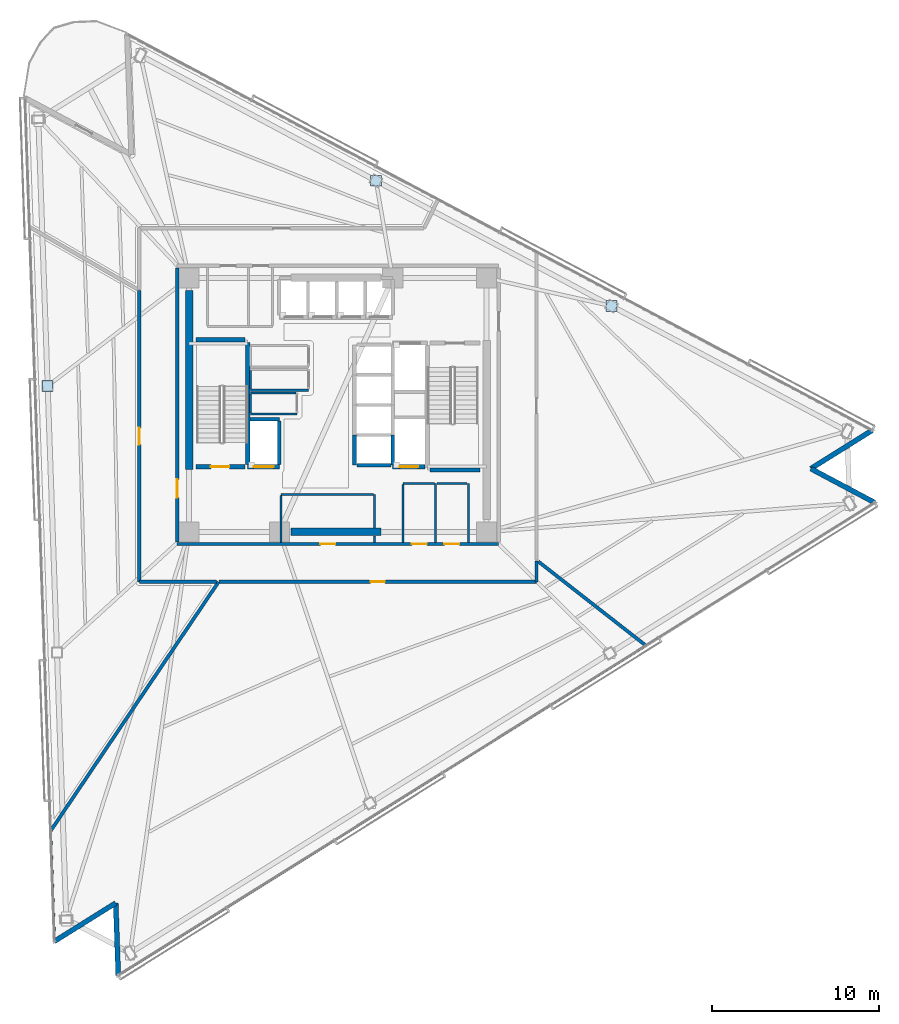
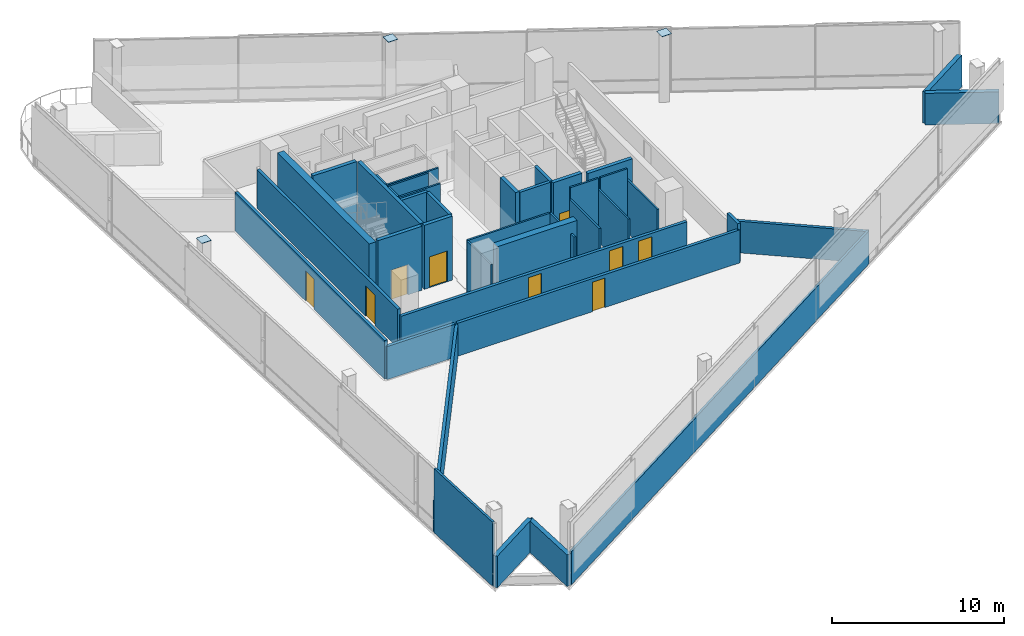
# One storey, part 12 of 19: 41 walls, 9 doors, 3 plates, 9 openings.
"""IFC4 building model written with IfcOpenShell, lengths in metres."""

from ifc_helpers import new_model, si_unit, direction, frame, frame_2d, origin, origin_2d, place, context, subcontext, project, spatial, rectangle, extrude, material, layer, layer_set, type_object, element, fill, save


model = new_model("IFC4")

# Units and contexts
model_context = context("Model", 3, precision=1e-05, world=origin(), true_north=direction((0.0, 1.0)))
body_context = subcontext(model_context, "Body", "Model", "MODEL_VIEW")
ifc_project = project(units=[si_unit("LENGTHUNIT", "METRE"), si_unit("AREAUNIT", "SQUARE_METRE"), si_unit("VOLUMEUNIT", "CUBIC_METRE"), si_unit("PLANEANGLEUNIT", "RADIAN"), si_unit("MASSUNIT", "GRAM", prefix="KILO")], contexts=[model_context])

# Site, building, storey
site_placement = place(None, origin())
site = spatial("IfcSite", under=ifc_project, at=site_placement, CompositionType="ELEMENT")
building_placement = place(site_placement, origin())
building = spatial("IfcBuilding", under=site, at=building_placement, Name="Tharavind Bronze Gate", CompositionType="ELEMENT")
storey_placement = place(building_placement, frame((0.0, 0.0, 160.39990234375)))
storey = spatial("IfcBuildingStorey", under=building, at=storey_placement, Name="L41", CompositionType="ELEMENT", Elevation=160.39990234375)

# Plates
ifc_material_1 = material(Name="Steel S460", Category="steel")
ifc_layer_1 = layer(ifc_material_1, 0.02490234375)
ifc_layer_set_1 = layer_set([ifc_layer_1], Name="Steel S460")
plate_type = type_object("IfcPlateType", Name="STEEL END CAP SHEET 25", PredefinedType="SHEET", material=ifc_layer_set_1)
for number, where, z_axis, x_axis, name in (
    (1, (-17.367919921875, 1.138916015625, 4.737548828125), (0.0, 0.0, 1.0), (1.0, 0.0, 0.0), "Steel end cap plate CAP-COLT-L41-S1C2"),
    (2, (16.3701171875, 5.91943359375, 4.737548828125), (0.0, 0.0, 1.0), (1.0, 0.0, 0.0), "Steel end cap plate CAP-COLT-L41-S3C2"),
    (3, (2.275634765625, 13.41357421875, 4.737548828125), (0.0, 0.0, 1.0), (1.0, 0.0, 0.0), "Steel end cap plate CAP-COLT-L41-S3C3"),
):
    element("IfcPlate", number, at=place(storey_placement, frame(where, z_axis=z_axis, x_axis=x_axis)), inside=storey, type_object=plate_type, Name=name, PredefinedType="SHEET", context=body_context, shape_type="SweptSolid", body=[
        extrude(rectangle(XDim=0.64501953125, YDim=0.64501953125, at=origin_2d()), origin(), (0.0, 0.0, 1.0), 0.02490234375),
    ])

# Walls
ifc_material_2 = material(Name="Concrete C40/50", Category="concrete")
ifc_layer_2 = layer(ifc_material_2, 0.300048828125)
ifc_layer_set_2 = layer_set([ifc_layer_2], Name="Concrete C40/50")
wall_type_1 = type_object("IfcWallType", Name="EXTERIOR SPANDREL WALL 300", PredefinedType="STANDARD", material=ifc_layer_set_2)
wall_1_placement = place(storey_placement, frame((-16.957763671875, -32.092041015625, 0.0), z_axis=(0.0, 0.0, 1.0), x_axis=(0.848068146975, 0.529887174866, 0.0)))
element("IfcWall", 4, at=wall_1_placement, inside=storey, type_object=wall_type_1, Name="L41 notch cheek wall 2A", PredefinedType="STANDARD", context=body_context, shape_type="SweptSolid", body=[
    extrude(rectangle(XDim=4.31982421875, YDim=0.300048828125, at=frame_2d((2.159912109375, 0.0))), origin(), (0.0, 0.0, 1.0), 2.25),
])
wall_2_placement = place(storey_placement, frame((-13.294189453125, -29.802978515625, 0.0), z_axis=(0.0, 0.0, 1.0), x_axis=(0.034869079132, -0.999391888761, 0.0)))
element("IfcWall", 5, at=wall_2_placement, inside=storey, type_object=wall_type_1, Name="L41 notch cheek wall 2B", PredefinedType="STANDARD", context=body_context, shape_type="SweptSolid", body=[
    extrude(rectangle(XDim=4.320068359375, YDim=0.300048828125, at=frame_2d((2.16015625, 0.0))), origin(), (0.0, 0.0, 1.0), 2.25),
])
wall_3_placement = place(storey_placement, frame((32.114501953125, -5.83984375, 0.0), z_axis=(0.0, 0.0, 1.0), x_axis=(-0.882945167019, 0.469476125099, 0.0)))
element("IfcWall", 6, at=wall_3_placement, inside=storey, type_object=wall_type_1, Name="L41 notch cheek wall 3A", PredefinedType="STANDARD", context=body_context, shape_type="SweptSolid", body=[
    extrude(rectangle(XDim=4.31982421875, YDim=0.300048828125, at=frame_2d((2.159912109375, 0.0))), origin(), (0.0, 0.0, 1.0), 2.25),
])
wall_4_placement = place(storey_placement, frame((28.30029296875, -3.811767578125, 0.0), z_axis=(0.0, 0.0, 1.0), x_axis=(0.848042749904, 0.529927819929, 0.0)))
element("IfcWall", 7, at=wall_4_placement, inside=storey, type_object=wall_type_1, Name="L41 notch cheek wall 3B", PredefinedType="STANDARD", context=body_context, shape_type="SweptSolid", body=[
    extrude(rectangle(XDim=4.320068359375, YDim=0.300048828125, at=frame_2d((2.16015625, 0.0))), origin(), (0.0, 0.0, 1.0), 2.25),
])

# Wall, openings, doors
ifc_material_3 = material(Name="Aerated Concrete Block", Category="concrete")
ifc_layer_3 = layer(ifc_material_3, 0.199951171875)
ifc_layer_set_3 = layer_set([ifc_layer_3], Name="Aerated Concrete Block")
wall_type_2 = type_object("IfcWallType", Name="FIRE RATED PARTITION 200", PredefinedType="PARTITIONING", material=ifc_layer_set_3)
wall_5_placement = place(storey_placement, frame((-9.6201171875, -8.320068359375, 0.0), z_axis=(0.0, 0.0, 1.0), x_axis=(1.0, 0.0, 0.0)))
wall_5 = element("IfcWall", 8, at=wall_5_placement, inside=storey, type_object=wall_type_2, Name="L41 south core corridor wall", PredefinedType="PARTITIONING", context=body_context, shape_type="SweptSolid", body=[
    extrude(rectangle(XDim=19.240234375, YDim=0.199951171875, at=frame_2d((9.6201171875, 0.0))), origin(), (0.0, 0.0, 1.0), 2.35009765625),
])
opening_1_placement = place(wall_5_placement, frame((8.570068359375, 0.0, 0.0)))
opening_1 = element("IfcOpeningElement", 9, at=opening_1_placement, cuts=wall_5, Name="Opening ID07", PredefinedType="OPENING", context=body_context, shape_type="SweptSolid", body=[
    extrude(rectangle(XDim=0.89990234375, YDim=2.10009765625, at=frame_2d((0.449951171875, 1.050048828125))), frame((0.0, 0.11009765625, 0.0), z_axis=(0.0, -1.0, 0.0), x_axis=(1.0, 0.0, 0.0)), (0.0, 0.0, 1.0), 0.219951171875),
])
opening_2_placement = place(wall_5_placement, frame((14.044921875, 0.0, 0.0)))
opening_2 = element("IfcOpeningElement", 10, at=opening_2_placement, cuts=wall_5, Name="Opening ID07", PredefinedType="OPENING", context=body_context, shape_type="SweptSolid", body=[
    extrude(rectangle(XDim=0.89990234375, YDim=2.10009765625, at=frame_2d((0.449951171875, 1.050048828125))), frame((0.0, 0.11009765625, 0.0), z_axis=(0.0, -1.0, 0.0), x_axis=(1.0, 0.0, 0.0)), (0.0, 0.0, 1.0), 0.219951171875),
])
opening_3_placement = place(wall_5_placement, frame((15.9951171875, 0.0, 0.0)))
opening_3 = element("IfcOpeningElement", 11, at=opening_3_placement, cuts=wall_5, Name="Opening ID07", PredefinedType="OPENING", context=body_context, shape_type="SweptSolid", body=[
    extrude(rectangle(XDim=0.89990234375, YDim=2.10009765625, at=frame_2d((0.449951171875, 1.050048828125))), frame((0.0, 0.11009765625, 0.0), z_axis=(0.0, -1.0, 0.0), x_axis=(1.0, 0.0, 0.0)), (0.0, 0.0, 1.0), 0.219951171875),
])
ifc_material_4 = material(Name="Galvanised Fire Steel", Category="steel")
door_type_1 = type_object("IfcDoorType", Name="PLANT AND RISER FIRE DOOR 900X2100", OperationType="SINGLE_SWING_LEFT", PredefinedType="DOOR", material=ifc_material_4)
door_1_placement = place(opening_1_placement, origin())
door_1 = element("IfcDoor", 12, at=door_1_placement, inside=storey, type_object=door_type_1, Name="L41 Core BMS Control Room fire door", OperationType="SINGLE_SWING_LEFT", OverallHeight=2.10009765625, OverallWidth=0.89990234375, PredefinedType="DOOR", context=body_context, shape_type="SweptSolid", body=[
    extrude(rectangle(XDim=0.89990234375, YDim=2.10009765625, at=frame_2d((0.449951171875, 1.050048828125))), frame((0.0, 0.02490234375, 0.0), z_axis=(0.0, -1.0, 0.0), x_axis=(1.0, 0.0, 0.0)), (0.0, 0.0, 1.0), 0.050048828125),
])
fill(opening_1, door_1)
door_2_placement = place(opening_2_placement, origin())
door_2 = element("IfcDoor", 13, at=door_2_placement, inside=storey, type_object=door_type_1, Name="L41 Comms Patch Room fire door", OperationType="SINGLE_SWING_LEFT", OverallHeight=2.10009765625, OverallWidth=0.89990234375, PredefinedType="DOOR", context=body_context, shape_type="SweptSolid", body=[
    extrude(rectangle(XDim=0.89990234375, YDim=2.10009765625, at=frame_2d((0.449951171875, 1.050048828125))), frame((0.0, 0.02490234375, 0.0), z_axis=(0.0, -1.0, 0.0), x_axis=(1.0, 0.0, 0.0)), (0.0, 0.0, 1.0), 0.050048828125),
])
fill(opening_2, door_2)
door_3_placement = place(opening_3_placement, origin())
door_3 = element("IfcDoor", 14, at=door_3_placement, inside=storey, type_object=door_type_1, Name="L41 Housekeeping Store fire door", OperationType="SINGLE_SWING_LEFT", OverallHeight=2.10009765625, OverallWidth=0.89990234375, PredefinedType="DOOR", context=body_context, shape_type="SweptSolid", body=[
    extrude(rectangle(XDim=0.89990234375, YDim=2.10009765625, at=frame_2d((0.449951171875, 1.050048828125))), frame((0.0, 0.02490234375, 0.0), z_axis=(0.0, -1.0, 0.0), x_axis=(1.0, 0.0, 0.0)), (0.0, 0.0, 1.0), 0.050048828125),
])
fill(opening_3, door_3)

# Wall, opening, door
wall_6_placement = place(storey_placement, frame((-9.6201171875, 8.199951171875, 0.0), z_axis=(0.0, 0.0, 1.0), x_axis=(0.0, -1.0, 0.0)))
wall_6 = element("IfcWall", 15, at=wall_6_placement, inside=storey, type_object=wall_type_2, Name="L41 west core corridor wall", PredefinedType="PARTITIONING", context=body_context, shape_type="SweptSolid", body=[
    extrude(rectangle(XDim=16.39990234375, YDim=0.199951171875, at=frame_2d((8.199951171875, 0.0))), origin(), (0.0, 0.0, 1.0), 2.75),
])
opening_4_placement = place(wall_6_placement, frame((12.64990234375, 0.0, 0.0)))
opening_4 = element("IfcOpeningElement", 16, at=opening_4_placement, cuts=wall_6, Name="Opening ID01", PredefinedType="OPENING", context=body_context, shape_type="SweptSolid", body=[
    extrude(rectangle(XDim=1.10009765625, YDim=2.14990234375, at=frame_2d((0.550048828125, 1.074951171875))), frame((0.0, 0.11009765625, 0.0), z_axis=(0.0, -1.0, 0.0), x_axis=(1.0, 0.0, 0.0)), (0.0, 0.0, 1.0), 0.219951171875),
])
ifc_material_5 = material(Name="Fire-Rated Steel", Category="steel")
door_type_2 = type_object("IfcDoorType", Name="STAIR CORE FIRE DOOR 1100X2150", OperationType="SINGLE_SWING_LEFT", PredefinedType="DOOR", material=ifc_material_5)
door_4_placement = place(opening_4_placement, frame((1.10009765625, 0.0, 0.0), z_axis=(0.0, 0.0, 1.0), x_axis=(-1.0, 0.0, 0.0)))
door_4 = element("IfcDoor", 17, at=door_4_placement, inside=storey, type_object=door_type_2, Name="L41 south west stair lobby fire door", OperationType="SINGLE_SWING_LEFT", OverallHeight=2.14990234375, OverallWidth=1.10009765625, PredefinedType="DOOR", context=body_context, shape_type="SweptSolid", body=[
    extrude(rectangle(XDim=1.10009765625, YDim=2.14990234375, at=frame_2d((0.550048828125, 1.074951171875))), frame((0.0, 0.02490234375, 0.0), z_axis=(0.0, -1.0, 0.0), x_axis=(1.0, 0.0, 0.0)), (0.0, 0.0, 1.0), 0.050048828125),
])
fill(opening_4, door_4)

# Wall
wall_7_placement = place(storey_placement, frame((-17.18408203125, -25.476318359375, 0.0), z_axis=(0.0, 0.0, 1.0), x_axis=(0.559194919571, 0.829036212675, 0.0)))
element("IfcWall", 18, at=wall_7_placement, inside=storey, type_object=wall_type_2, Name="L41 Public Restrooms Block partition", PredefinedType="PARTITIONING", context=body_context, shape_type="SweptSolid", body=[
    extrude(rectangle(XDim=17.954833984375, YDim=0.199951171875, at=frame_2d((8.9775390625, 0.0))), origin(), (0.0, 0.0, 1.0), 2.25),
])

# Wall, opening, door
wall_8_placement = place(storey_placement, frame((-7.123046875, -10.580078125, 0.0), z_axis=(0.0, 0.0, 1.0), x_axis=(1.0, 0.0, 0.0)))
wall_8 = element("IfcWall", 19, at=wall_8_placement, inside=storey, type_object=wall_type_2, Name="L41 Public Restrooms Block partition", PredefinedType="PARTITIONING", context=body_context, shape_type="SweptSolid", body=[
    extrude(rectangle(XDim=19.00244140625, YDim=0.199951171875, at=frame_2d((9.501220703125, 0.0))), origin(), (0.0, 0.0, 1.0), 2.35009765625),
])
opening_5_placement = place(wall_8_placement, frame((9.075927734375, 0.0, 0.0)))
opening_5 = element("IfcOpeningElement", 20, at=opening_5_placement, cuts=wall_8, Name="Opening ID06", PredefinedType="OPENING", context=body_context, shape_type="SweptSolid", body=[
    extrude(rectangle(XDim=0.85009765625, YDim=2.10009765625, at=frame_2d((0.425048828125, 1.050048828125))), frame((0.0, 0.11009765625, 0.0), z_axis=(0.0, -1.0, 0.0), x_axis=(1.0, 0.0, 0.0)), (0.0, 0.0, 1.0), 0.219951171875),
])
ifc_material_6 = material(Name="Moisture-Resistant Timber", Category="wood")
door_type_3 = type_object("IfcDoorType", Name="BATHROOM PRIVACY DOOR 850X2100", OperationType="SINGLE_SWING_RIGHT", PredefinedType="DOOR", material=ifc_material_6)
door_5_placement = place(opening_5_placement, origin())
door_5 = element("IfcDoor", 21, at=door_5_placement, inside=storey, type_object=door_type_3, Name="L41 Public Restrooms Block door", OperationType="SINGLE_SWING_RIGHT", OverallHeight=2.10009765625, OverallWidth=0.85009765625, PredefinedType="DOOR", context=body_context, shape_type="SweptSolid", body=[
    extrude(rectangle(XDim=0.85009765625, YDim=2.10009765625, at=frame_2d((0.425048828125, 1.050048828125))), frame((0.0, 0.02490234375, 0.0), z_axis=(0.0, -1.0, 0.0), x_axis=(1.0, 0.0, 0.0)), (0.0, 0.0, 1.0), 0.050048828125),
])
fill(opening_5, door_5)

# Walls
wall_9_placement = place(storey_placement, frame((11.8798828125, -10.579345703125, 0.0), z_axis=(0.0, 0.0, 1.0), x_axis=(0.0, 1.0, 0.0)))
element("IfcWall", 22, at=wall_9_placement, inside=storey, type_object=wall_type_2, Name="L41 Public Restrooms Block partition", PredefinedType="PARTITIONING", context=body_context, shape_type="SweptSolid", body=[
    extrude(rectangle(XDim=1.246337890625, YDim=0.199951171875, at=frame_2d((0.623046875, 0.0))), origin(), (0.0, 0.0, 1.0), 2.75),
])
wall_10_placement = place(storey_placement, frame((11.985107421875, -9.36376953125, 0.0), z_axis=(0.0, 0.0, 1.0), x_axis=(0.7880166733, -0.615653898389, 0.0)))
element("IfcWall", 23, at=wall_10_placement, inside=storey, type_object=wall_type_2, Name="L41 Public Restrooms Block partition", PredefinedType="PARTITIONING", context=body_context, shape_type="SweptSolid", body=[
    extrude(rectangle(XDim=8.17138671875, YDim=0.199951171875, at=frame_2d((4.085693359375, 0.0))), origin(), (0.0, 0.0, 1.0), 2.25),
])

# Wall, opening, door
wall_11_placement = place(storey_placement, frame((-11.8798828125, 6.844482421875, 0.0), z_axis=(0.0, 0.0, 1.0), x_axis=(0.0, -1.0, 0.0)))
wall_11 = element("IfcWall", 24, at=wall_11_placement, inside=storey, type_object=wall_type_2, Name="L41 Robotics Engineering Studio partition", PredefinedType="PARTITIONING", context=body_context, shape_type="SweptSolid", body=[
    extrude(rectangle(XDim=17.423828125, YDim=0.199951171875, at=frame_2d((8.7119140625, 0.0))), origin(), (0.0, 0.0, 1.0), 2.75),
])
opening_6_placement = place(wall_11_placement, frame((8.2119140625, 0.0, 0.0)))
opening_6 = element("IfcOpeningElement", 25, at=opening_6_placement, cuts=wall_11, Name="Opening ID04", PredefinedType="OPENING", context=body_context, shape_type="SweptSolid", body=[
    extrude(rectangle(XDim=1.0, YDim=2.14990234375, at=frame_2d((0.5, 1.074951171875))), frame((0.0, 0.11009765625, 0.0), z_axis=(0.0, -1.0, 0.0), x_axis=(1.0, 0.0, 0.0)), (0.0, 0.0, 1.0), 0.219951171875),
])
ifc_material_7 = material(Name="Bronze Framed Acoustic Timber", Category="wood")
door_type_4 = type_object("IfcDoorType", Name="OFFICE TENANCY DOOR 1000X2150", OperationType="SINGLE_SWING_RIGHT", PredefinedType="DOOR", material=ifc_material_7)
door_6_placement = place(opening_6_placement, origin())
door_6 = element("IfcDoor", 26, at=door_6_placement, inside=storey, type_object=door_type_4, Name="L41 Robotics Engineering Studio door", OperationType="SINGLE_SWING_RIGHT", OverallHeight=2.14990234375, OverallWidth=1.0, PredefinedType="DOOR", context=body_context, shape_type="SweptSolid", body=[
    extrude(rectangle(XDim=1.0, YDim=2.14990234375, at=frame_2d((0.5, 1.074951171875))), frame((0.0, 0.02490234375, 0.0), z_axis=(0.0, -1.0, 0.0), x_axis=(1.0, 0.0, 0.0)), (0.0, 0.0, 1.0), 0.050048828125),
])
fill(opening_6, door_6)

# Walls
wall_12_placement = place(storey_placement, frame((-11.87939453125, -10.580078125, 0.0), z_axis=(0.0, 0.0, 1.0), x_axis=(1.0, 0.0, 0.0)))
element("IfcWall", 27, at=wall_12_placement, inside=storey, type_object=wall_type_2, Name="L41 Robotics Engineering Studio partition", PredefinedType="PARTITIONING", context=body_context, shape_type="SweptSolid", body=[
    extrude(rectangle(XDim=4.616455078125, YDim=0.199951171875, at=frame_2d((2.30810546875, 0.0))), origin(), (0.0, 0.0, 1.0), 2.35009765625),
])
ifc_material_8 = material(Name="Metal Stud Gypsum Partition", Category="gypsum")
ifc_layer_4 = layer(ifc_material_8, 0.1201171875)
ifc_layer_set_4 = layer_set([ifc_layer_4], Name="Metal Stud Gypsum Partition")
wall_type_3 = type_object("IfcWallType", Name="INTERIOR PARTITION WALL 120", PredefinedType="PARTITIONING", material=ifc_layer_set_4)
wall_13_placement = place(storey_placement, frame((-5.219970703125, 0.8798828125, 0.0), z_axis=(0.0, 0.0, 1.0), x_axis=(1.0, 0.0, 0.0)))
element("IfcWall", 28, at=wall_13_placement, inside=storey, type_object=wall_type_3, Name="L41 Comms Data Room partition 1", PredefinedType="PARTITIONING", context=body_context, shape_type="SweptSolid", body=[
    extrude(rectangle(XDim=3.469970703125, YDim=0.1201171875, at=frame_2d((1.73486328125, 0.0))), origin(), (0.0, 0.0, 1.0), 4.55517578125),
])
wall_14_placement = place(storey_placement, frame((-5.219970703125, 2.054931640625, 0.0), z_axis=(0.0, 0.0, 1.0), x_axis=(0.0, -1.0, 0.0)))
element("IfcWall", 29, at=wall_14_placement, inside=storey, type_object=wall_type_3, Name="L41 Comms Data Room partition 4", PredefinedType="PARTITIONING", context=body_context, shape_type="SweptSolid", body=[
    extrude(rectangle(XDim=1.10986328125, YDim=0.1201171875, at=frame_2d((0.554931640625, 0.0))), origin(), (0.0, 0.0, 1.0), 4.55517578125),
])
wall_15_placement = place(storey_placement, frame((-5.219970703125, -0.550048828125, 0.0), z_axis=(0.0, 0.0, 1.0), x_axis=(1.0, 0.0, 0.0)))
element("IfcWall", 30, at=wall_15_placement, inside=storey, type_object=wall_type_3, Name="L41 Electrical Metering Store partition 1", PredefinedType="PARTITIONING", context=body_context, shape_type="SweptSolid", body=[
    extrude(rectangle(XDim=2.77001953125, YDim=0.1201171875, at=frame_2d((1.385009765625, 0.0))), origin(), (0.0, 0.0, 1.0), 4.55517578125),
])
wall_16_placement = place(storey_placement, frame((-2.514892578125, 0.719970703125, 0.0), z_axis=(0.0, 0.0, 1.0), x_axis=(-1.0, 0.0, 0.0)))
element("IfcWall", 31, at=wall_16_placement, inside=storey, type_object=wall_type_3, Name="L41 Electrical Metering Store partition 3", PredefinedType="PARTITIONING", context=body_context, shape_type="SweptSolid", body=[
    extrude(rectangle(XDim=2.705078125, YDim=0.1201171875, at=frame_2d((1.3525390625, 0.0))), origin(), (0.0, 0.0, 1.0), 4.55517578125),
])
wall_17_placement = place(storey_placement, frame((-5.219970703125, 0.655029296875, 0.0), z_axis=(0.0, 0.0, 1.0), x_axis=(0.0, -1.0, 0.0)))
element("IfcWall", 32, at=wall_17_placement, inside=storey, type_object=wall_type_3, Name="L41 Electrical Metering Store partition 4", PredefinedType="PARTITIONING", context=body_context, shape_type="SweptSolid", body=[
    extrude(rectangle(XDim=1.14013671875, YDim=0.1201171875, at=frame_2d((0.570068359375, 0.0))), origin(), (0.0, 0.0, 1.0), 4.55517578125),
])
wall_18_placement = place(storey_placement, frame((2.199951171875, -8.215087890625, 0.0), z_axis=(0.0, 0.0, 1.0), x_axis=(0.0, 1.0, 0.0)))
element("IfcWall", 33, at=wall_18_placement, inside=storey, type_object=wall_type_3, Name="L41 Core BMS Control Room partition 2", PredefinedType="PARTITIONING", context=body_context, shape_type="SweptSolid", body=[
    extrude(rectangle(XDim=0.385009765625, YDim=0.1201171875, at=frame_2d((0.1923828125, 0.0))), origin(), (0.0, 0.0, 1.0), 3.75),
])
wall_19_placement = place(storey_placement, frame((2.199951171875, -7.3701171875, 0.0), z_axis=(0.0, 0.0, 1.0), x_axis=(0.0, 1.0, 0.0)))
element("IfcWall", 34, at=wall_19_placement, inside=storey, type_object=wall_type_3, Name="L41 Core BMS Control Room partition 2", PredefinedType="PARTITIONING", context=body_context, shape_type="SweptSolid", body=[
    extrude(rectangle(XDim=2.02001953125, YDim=0.1201171875, at=frame_2d((1.010009765625, 0.0))), origin(), (0.0, 0.0, 1.0), 3.75),
])
wall_20_placement = place(storey_placement, frame((2.135009765625, -5.35009765625, 0.0), z_axis=(0.0, 0.0, 1.0), x_axis=(-1.0, 0.0, 0.0)))
element("IfcWall", 35, at=wall_20_placement, inside=storey, type_object=wall_type_3, Name="L41 Core BMS Control Room partition 3", PredefinedType="PARTITIONING", context=body_context, shape_type="SweptSolid", body=[
    extrude(rectangle(XDim=5.534912109375, YDim=0.1201171875, at=frame_2d((2.767578125, 0.0))), origin(), (0.0, 0.0, 1.0), 3.75),
])
wall_21_placement = place(storey_placement, frame((-3.39990234375, -5.4150390625, 0.0), z_axis=(0.0, 0.0, 1.0), x_axis=(0.0, -1.0, 0.0)))
element("IfcWall", 36, at=wall_21_placement, inside=storey, type_object=wall_type_3, Name="L41 Core BMS Control Room partition 4", PredefinedType="PARTITIONING", context=body_context, shape_type="SweptSolid", body=[
    extrude(rectangle(XDim=2.800048828125, YDim=0.1201171875, at=frame_2d((1.39990234375, 0.0))), origin(), (0.0, 0.0, 1.0), 3.75),
])
wall_22_placement = place(storey_placement, frame((5.85009765625, -8.215087890625, 0.0), z_axis=(0.0, 0.0, 1.0), x_axis=(0.0, 1.0, 0.0)))
element("IfcWall", 37, at=wall_22_placement, inside=storey, type_object=wall_type_3, Name="L41 Comms Patch Room partition 2", PredefinedType="PARTITIONING", context=body_context, shape_type="SweptSolid", body=[
    extrude(rectangle(XDim=3.51513671875, YDim=0.1201171875, at=frame_2d((1.757568359375, 0.0))), origin(), (0.0, 0.0, 1.0), 3.75),
])
wall_23_placement = place(storey_placement, frame((5.784912109375, -4.699951171875, 0.0), z_axis=(0.0, 0.0, 1.0), x_axis=(-1.0, 0.0, 0.0)))
element("IfcWall", 38, at=wall_23_placement, inside=storey, type_object=wall_type_3, Name="L41 Comms Patch Room partition 3", PredefinedType="PARTITIONING", context=body_context, shape_type="SweptSolid", body=[
    extrude(rectangle(XDim=1.885009765625, YDim=0.1201171875, at=frame_2d((0.9423828125, 0.0))), origin(), (0.0, 0.0, 1.0), 4.55517578125),
])
wall_24_placement = place(storey_placement, frame((3.89990234375, -4.764892578125, 0.0), z_axis=(0.0, 0.0, 1.0), x_axis=(0.0, -1.0, 0.0)))
element("IfcWall", 39, at=wall_24_placement, inside=storey, type_object=wall_type_3, Name="L41 Comms Patch Room partition 4", PredefinedType="PARTITIONING", context=body_context, shape_type="SweptSolid", body=[
    extrude(rectangle(XDim=3.4501953125, YDim=0.1201171875, at=frame_2d((1.72509765625, 0.0))), origin(), (0.0, 0.0, 1.0), 3.75),
])
wall_25_placement = place(storey_placement, frame((7.800048828125, -8.215087890625, 0.0), z_axis=(0.0, 0.0, 1.0), x_axis=(0.0, 1.0, 0.0)))
element("IfcWall", 40, at=wall_25_placement, inside=storey, type_object=wall_type_3, Name="L41 Housekeeping Store partition 2", PredefinedType="PARTITIONING", context=body_context, shape_type="SweptSolid", body=[
    extrude(rectangle(XDim=3.51513671875, YDim=0.1201171875, at=frame_2d((1.757568359375, 0.0))), origin(), (0.0, 0.0, 1.0), 3.75),
])
wall_26_placement = place(storey_placement, frame((7.735107421875, -4.699951171875, 0.0), z_axis=(0.0, 0.0, 1.0), x_axis=(-1.0, 0.0, 0.0)))
element("IfcWall", 41, at=wall_26_placement, inside=storey, type_object=wall_type_3, Name="L41 Housekeeping Store partition 3", PredefinedType="PARTITIONING", context=body_context, shape_type="SweptSolid", body=[
    extrude(rectangle(XDim=1.820068359375, YDim=0.1201171875, at=frame_2d((0.91015625, 0.0))), origin(), (0.0, 0.0, 1.0), 4.55517578125),
])
ifc_material_9 = material(Name="Twin Stud Acoustic Gypsum", Category="gypsum")
ifc_layer_5 = layer(ifc_material_9, 0.14990234375)
ifc_layer_set_5 = layer_set([ifc_layer_5], Name="Twin Stud Acoustic Gypsum")
wall_type_4 = type_object("IfcWallType", Name="INTERIOR PARTITION WALL 150", PredefinedType="PARTITIONING", material=ifc_layer_set_5)
wall_27_placement = place(storey_placement, frame((-16.964111328125, -31.9130859375, 0.0), z_axis=(0.0, 0.0, 1.0), x_axis=(-0.034878400824, 0.99939156348, 0.0)))
element("IfcWall", 42, at=wall_27_placement, inside=storey, type_object=wall_type_4, Name="L41 Public Restrooms Block partition", PredefinedType="PARTITIONING", context=body_context, shape_type="SweptSolid", body=[
    extrude(rectangle(XDim=6.42578125, YDim=0.14990234375, at=frame_2d((3.212890625, 0.0))), origin(), (0.0, 0.0, 1.0), 4.55517578125),
])
wall_28_placement = place(storey_placement, frame((18.32958984375, -14.453857421875, 0.0), z_axis=(0.0, 0.0, 1.0), x_axis=(-0.848050291152, -0.52991575149, 0.0)))
element("IfcWall", 43, at=wall_28_placement, inside=storey, type_object=wall_type_4, Name="L41 Public Restrooms Block partition", PredefinedType="PARTITIONING", context=body_context, shape_type="SweptSolid", body=[
    extrude(rectangle(XDim=36.933349609375, YDim=0.14990234375, at=frame_2d((18.466796875, 0.0))), origin(), (0.0, 0.0, 1.0), 2.35009765625),
])
ifc_material_10 = material(Name="Concrete C50/60", Category="concrete")
ifc_layer_6 = layer(ifc_material_10, 0.25)
ifc_layer_set_6 = layer_set([ifc_layer_6], Name="Concrete C50/60")
wall_type_5 = type_object("IfcWallType", Name="RC CORE SHEAR WALL 250", PredefinedType="SHEAR", material=ifc_layer_set_6)
wall_29_placement = place(storey_placement, frame((-5.39990234375, -3.550048828125, 0.0), z_axis=(0.0, 0.0, 1.0), x_axis=(0.0, 1.0, 0.0)))
element("IfcWall", 44, at=wall_29_placement, inside=storey, type_object=wall_type_5, Name="L41 ST1 shaft east wall", PredefinedType="SHEAR", context=body_context, shape_type="SweptSolid", body=[
    extrude(rectangle(XDim=7.300048828125, YDim=0.25, at=frame_2d((3.64990234375, 0.0))), origin(), (0.0, 0.0, 1.0), 4.55517578125),
])

# Wall, opening, door
wall_30_placement = place(storey_placement, frame((-8.5, -3.699951171875, 0.0), z_axis=(0.0, 0.0, 1.0), x_axis=(1.0, 0.0, 0.0)))
wall_30 = element("IfcWall", 45, at=wall_30_placement, inside=storey, type_object=wall_type_5, Name="L41 ST1 shaft south wall", PredefinedType="SHEAR", context=body_context, shape_type="SweptSolid", body=[
    extrude(rectangle(XDim=2.949951171875, YDim=0.25, at=frame_2d((1.47509765625, 0.0))), origin(), (0.0, 0.0, 1.0), 4.55517578125),
])
opening_7_placement = place(wall_30_placement, frame((0.89990234375, 0.0, 0.0)))
opening_7 = element("IfcOpeningElement", 46, at=opening_7_placement, cuts=wall_30, Name="Opening ID01", PredefinedType="OPENING", context=body_context, shape_type="SweptSolid", body=[
    extrude(rectangle(XDim=1.10009765625, YDim=2.14990234375, at=frame_2d((0.550048828125, 1.074951171875))), frame((0.0, 0.135, 0.0), z_axis=(0.0, -1.0, 0.0), x_axis=(1.0, 0.0, 0.0)), (0.0, 0.0, 1.0), 0.27),
])
door_7_placement = place(opening_7_placement, origin())
door_7 = element("IfcDoor", 47, at=door_7_placement, inside=storey, type_object=door_type_2, Name="L41 exit stair ST1 fire door", OperationType="SINGLE_SWING_LEFT", OverallHeight=2.14990234375, OverallWidth=1.10009765625, PredefinedType="DOOR", context=body_context, shape_type="SweptSolid", body=[
    extrude(rectangle(XDim=1.10009765625, YDim=2.14990234375, at=frame_2d((0.550048828125, 1.074951171875))), frame((0.0, 0.02490234375, 0.0), z_axis=(0.0, -1.0, 0.0), x_axis=(1.0, 0.0, 0.0)), (0.0, 0.0, 1.0), 0.050048828125),
])
fill(opening_7, door_7)

# Walls
wall_31_placement = place(storey_placement, frame((-8.5, 3.89990234375, 0.0), z_axis=(0.0, 0.0, 1.0), x_axis=(1.0, 0.0, 0.0)))
element("IfcWall", 48, at=wall_31_placement, inside=storey, type_object=wall_type_5, Name="L41 ST1 shaft north wall", PredefinedType="SHEAR", context=body_context, shape_type="SweptSolid", body=[
    extrude(rectangle(XDim=2.949951171875, YDim=0.25, at=frame_2d((1.47509765625, 0.0))), origin(), (0.0, 0.0, 1.0), 4.55517578125),
])
wall_32_placement = place(storey_placement, frame((5.5, -3.89990234375, 0.0), z_axis=(0.0, 0.0, 1.0), x_axis=(1.0, 0.0, 0.0)))
element("IfcWall", 49, at=wall_32_placement, inside=storey, type_object=wall_type_5, Name="L41 ST2 shaft south wall", PredefinedType="SHEAR", context=body_context, shape_type="SweptSolid", body=[
    extrude(rectangle(XDim=3.0, YDim=0.25, at=frame_2d((1.5, 0.0))), origin(), (0.0, 0.0, 1.0), 4.55517578125),
])
wall_33_placement = place(storey_placement, frame((1.0, -3.60009765625, 0.0), z_axis=(0.0, 0.0, 1.0), x_axis=(0.0, 1.0, 0.0)))
element("IfcWall", 50, at=wall_33_placement, inside=storey, type_object=wall_type_5, Name="L41 lift PL9 shaft front wall", PredefinedType="SHEAR", context=body_context, shape_type="SweptSolid", body=[
    extrude(rectangle(XDim=1.800048828125, YDim=0.25, at=frame_2d((0.89990234375, 0.0))), origin(), (0.0, 0.0, 1.0), 4.55517578125),
])

# Wall, opening, door
wall_34_placement = place(storey_placement, frame((-5.39990234375, -3.699951171875, 0.0), z_axis=(0.0, 0.0, 1.0), x_axis=(1.0, 0.0, 0.0)))
wall_34 = element("IfcWall", 51, at=wall_34_placement, inside=storey, type_object=wall_type_5, Name="L41 lift FFL1 shaft front wall", PredefinedType="SHEAR", context=body_context, shape_type="SweptSolid", body=[
    extrude(rectangle(XDim=1.89990234375, YDim=0.25, at=frame_2d((0.949951171875, 0.0))), origin(), (0.0, 0.0, 1.0), 4.55517578125),
])
opening_8_placement = place(wall_34_placement, frame((0.35009765625, 0.0, 0.0)))
opening_8 = element("IfcOpeningElement", 52, at=opening_8_placement, cuts=wall_34, Name="Opening LD02", PredefinedType="OPENING", context=body_context, shape_type="SweptSolid", body=[
    extrude(rectangle(XDim=1.199951171875, YDim=2.199951171875, at=frame_2d((0.60009765625, 1.10009765625))), frame((0.0, 0.135, 0.0), z_axis=(0.0, -1.0, 0.0), x_axis=(1.0, 0.0, 0.0)), (0.0, 0.0, 1.0), 0.27),
])
ifc_material_11 = material(Name="Brushed Stainless Steel", Category="steel")
door_type_5 = type_object("IfcDoorType", Name="FIREFIGHTING LIFT LANDING DOOR 1200X2200", OperationType="SLIDING_TO_RIGHT", PredefinedType="DOOR", material=ifc_material_11)
door_8_placement = place(opening_8_placement, origin())
door_8 = element("IfcDoor", 53, at=door_8_placement, inside=storey, type_object=door_type_5, Name="L41 lift FFL1 sliding landing door", OperationType="SLIDING_TO_RIGHT", OverallHeight=2.199951171875, OverallWidth=1.199951171875, PredefinedType="DOOR", context=body_context, shape_type="SweptSolid", body=[
    extrude(rectangle(XDim=1.199951171875, YDim=2.199951171875, at=frame_2d((0.60009765625, 1.10009765625))), frame((0.0, 0.02490234375, 0.0), z_axis=(0.0, -1.0, 0.0), x_axis=(1.0, 0.0, 0.0)), (0.0, 0.0, 1.0), 0.050048828125),
])
fill(opening_8, door_8)

wall_35_placement = place(storey_placement, frame((3.280029296875, -3.699951171875, 0.0), z_axis=(0.0, 0.0, 1.0), x_axis=(1.0, 0.0, 0.0)))
wall_35 = element("IfcWall", 54, at=wall_35_placement, inside=storey, type_object=wall_type_5, Name="L41 lift SVL1 shaft front wall", PredefinedType="SHEAR", context=body_context, shape_type="SweptSolid", body=[
    extrude(rectangle(XDim=1.93994140625, YDim=0.25, at=frame_2d((0.969970703125, 0.0))), origin(), (0.0, 0.0, 1.0), 4.55517578125),
])
opening_9_placement = place(wall_35_placement, frame((0.419921875, 0.0, 0.0)))
opening_9 = element("IfcOpeningElement", 55, at=opening_9_placement, cuts=wall_35, Name="Opening LD01", PredefinedType="OPENING", context=body_context, shape_type="SweptSolid", body=[
    extrude(rectangle(XDim=1.10009765625, YDim=2.199951171875, at=frame_2d((0.550048828125, 1.10009765625))), frame((0.0, 0.135, 0.0), z_axis=(0.0, -1.0, 0.0), x_axis=(1.0, 0.0, 0.0)), (0.0, 0.0, 1.0), 0.27),
])
ifc_material_12 = material(Name="Brushed Bronze Stainless Steel", Category="steel")
door_type_6 = type_object("IfcDoorType", Name="LIFT LANDING SLIDING DOOR 1100X2200", OperationType="SLIDING_TO_LEFT", PredefinedType="DOOR", material=ifc_material_12)
door_9_placement = place(opening_9_placement, origin())
door_9 = element("IfcDoor", 56, at=door_9_placement, inside=storey, type_object=door_type_6, Name="L41 lift SVL1 sliding landing door", OperationType="SLIDING_TO_LEFT", OverallHeight=2.199951171875, OverallWidth=1.10009765625, PredefinedType="DOOR", context=body_context, shape_type="SweptSolid", body=[
    extrude(rectangle(XDim=1.10009765625, YDim=2.199951171875, at=frame_2d((0.550048828125, 1.10009765625))), frame((0.0, 0.02490234375, 0.0), z_axis=(0.0, -1.0, 0.0), x_axis=(1.0, 0.0, 0.0)), (0.0, 0.0, 1.0), 0.050048828125),
])
fill(opening_9, door_9)

# Walls
ifc_material_13 = material(Name="Concrete C60/75", Category="concrete")
ifc_layer_7 = layer(ifc_material_13, 0.449951171875)
ifc_layer_set_7 = layer_set([ifc_layer_7], Name="Concrete C60/75")
wall_type_6 = type_object("IfcWallType", Name="RC CORE SHEAR WALL 450", PredefinedType="SHEAR", material=ifc_layer_set_7)
wall_36_placement = place(storey_placement, frame((-2.800048828125, -7.60009765625, 0.0), z_axis=(0.0, 0.0, 1.0), x_axis=(1.0, 0.0, 0.0)))
element("IfcWall", 57, at=wall_36_placement, inside=storey, type_object=wall_type_6, Name="L41 south core shear wall", PredefinedType="SHEAR", context=body_context, shape_type="SweptSolid", body=[
    extrude(rectangle(XDim=5.380126953125, YDim=0.449951171875, at=frame_2d((2.68994140625, 0.0))), origin(), (0.0, 0.0, 1.0), 4.55517578125),
])
wall_37_placement = place(storey_placement, frame((-8.89990234375, -3.85009765625, 0.0), z_axis=(0.0, 0.0, 1.0), x_axis=(0.0, 1.0, 0.0)))
element("IfcWall", 58, at=wall_37_placement, inside=storey, type_object=wall_type_6, Name="L41 west core shear wall", PredefinedType="SHEAR", context=body_context, shape_type="SweptSolid", body=[
    extrude(rectangle(XDim=10.7001953125, YDim=0.449951171875, at=frame_2d((5.35009765625, 0.0))), origin(), (0.0, 0.0, 1.0), 4.55517578125),
])
ifc_layer_8 = layer(ifc_material_2, 0.199951171875)
ifc_layer_set_8 = layer_set([ifc_layer_8], Name="Concrete C40/50")
wall_type_7 = type_object("IfcWallType", Name="SHAFT ENCLOSURE WALL 200", PredefinedType="PARTITIONING", material=ifc_layer_set_8)
wall_38_placement = place(storey_placement, frame((3.280029296875, -3.60009765625, 0.0), z_axis=(0.0, 0.0, 1.0), x_axis=(0.0, 1.0, 0.0)))
element("IfcWall", 59, at=wall_38_placement, inside=storey, type_object=wall_type_7, Name="L41 lift PL9 shaft E enclosure wall", PredefinedType="PARTITIONING", context=body_context, shape_type="SweptSolid", body=[
    extrude(rectangle(XDim=1.800048828125, YDim=0.199951171875, at=frame_2d((0.89990234375, 0.0))), origin(), (0.0, 0.0, 1.0), 4.55517578125),
])
wall_39_placement = place(storey_placement, frame((1.1298828125, -3.60009765625, 0.0), z_axis=(0.0, 0.0, 1.0), x_axis=(1.0, 0.0, 0.0)))
element("IfcWall", 60, at=wall_39_placement, inside=storey, type_object=wall_type_7, Name="L41 lift PL9 shaft S enclosure wall", PredefinedType="PARTITIONING", context=body_context, shape_type="SweptSolid", body=[
    extrude(rectangle(XDim=2.045166015625, YDim=0.199951171875, at=frame_2d((1.0224609375, 0.0))), origin(), (0.0, 0.0, 1.0), 4.55517578125),
])
wall_40_placement = place(storey_placement, frame((-5.27001953125, -0.85009765625, 0.0), z_axis=(0.0, 0.0, 1.0), x_axis=(1.0, 0.0, 0.0)))
element("IfcWall", 61, at=wall_40_placement, inside=storey, type_object=wall_type_7, Name="L41 lift FFL1 shaft N enclosure wall", PredefinedType="PARTITIONING", context=body_context, shape_type="SweptSolid", body=[
    extrude(rectangle(XDim=1.77001953125, YDim=0.199951171875, at=frame_2d((0.885009765625, 0.0))), origin(), (0.0, 0.0, 1.0), 4.55517578125),
])
wall_41_placement = place(storey_placement, frame((-3.5, -3.570068359375, 0.0), z_axis=(0.0, 0.0, 1.0), x_axis=(0.0, 1.0, 0.0)))
element("IfcWall", 62, at=wall_41_placement, inside=storey, type_object=wall_type_7, Name="L41 lift FFL1 shaft E enclosure wall", PredefinedType="PARTITIONING", context=body_context, shape_type="SweptSolid", body=[
    extrude(rectangle(XDim=2.614990234375, YDim=0.199951171875, at=frame_2d((1.3076171875, 0.0))), origin(), (0.0, 0.0, 1.0), 4.55517578125),
])

save(model, "model.ifc")
